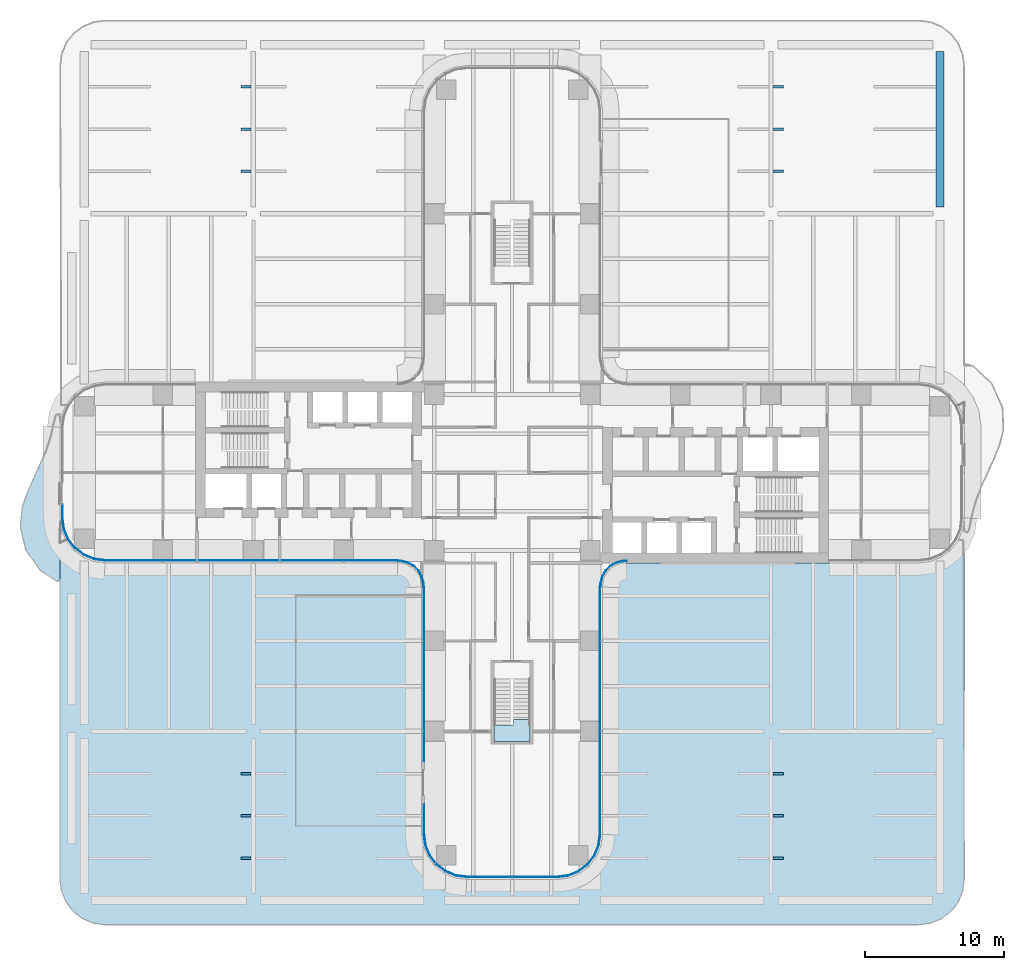
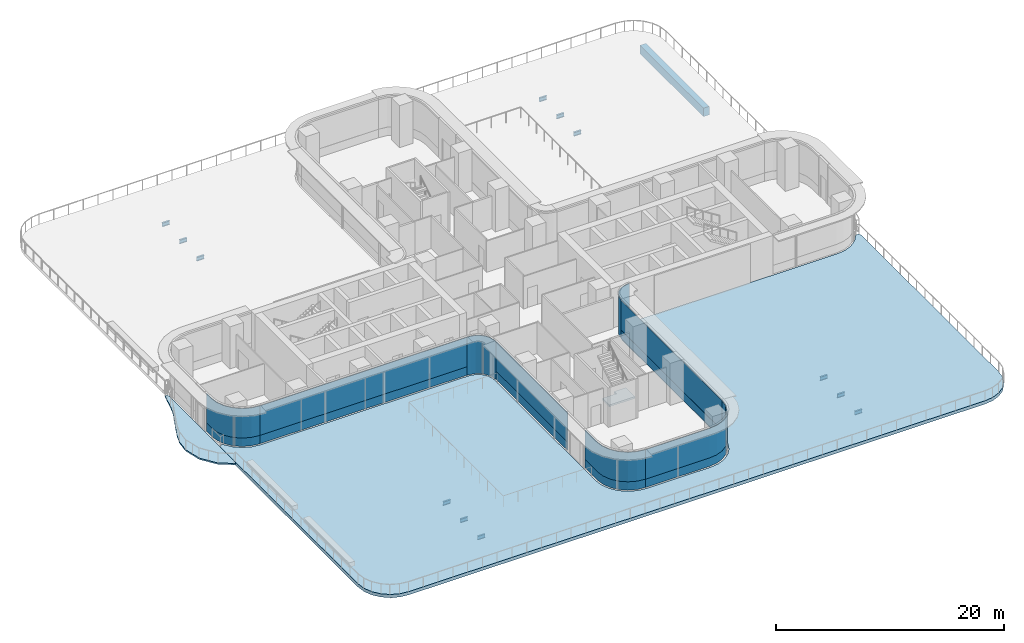
# One storey, part 18 of 29: 14 plates, 13 beams, 3 slabs, 9 elements without a shape of their own.
"""IFC4 building model written with IfcOpenShell, lengths in metres."""

from ifc_helpers import new_model, si_unit, direction, frame, origin, origin_2d, place, context, subcontext, project, spatial, polyline, rectangle, i_section, outline, extrude, source, transform, mapped, material, layer, layer_set, material_profile, profile_set, type_object, element, aggregate, save


model = new_model("IFC4")

# Units and contexts
model_context = context("Model", 3, precision=1e-05, world=origin(), true_north=direction((0.0, 1.0)))
body_context = subcontext(model_context, "Body", "Model", "MODEL_VIEW")
ifc_project = project(units=[si_unit("LENGTHUNIT", "METRE"), si_unit("AREAUNIT", "SQUARE_METRE"), si_unit("VOLUMEUNIT", "CUBIC_METRE"), si_unit("PLANEANGLEUNIT", "RADIAN"), si_unit("MASSUNIT", "GRAM", prefix="KILO")], contexts=[model_context])

# Site, building, storey
site_placement = place(None, origin())
site = spatial("IfcSite", under=ifc_project, at=site_placement, CompositionType="ELEMENT")
building_placement = place(site_placement, origin())
building = spatial("IfcBuilding", under=site, at=building_placement, Name="Trellis Farm Tower", CompositionType="ELEMENT")
storey_placement = place(building_placement, frame((0.0, 0.0, 34.0)))
storey = spatial("IfcBuildingStorey", under=building, at=storey_placement, Name="L06", CompositionType="ELEMENT", Elevation=34.0)

# Beams
ifc_material_1 = material(Name="Steel S355", Category="steel")
ifc_material_profile_1 = material_profile(ifc_material_1, i_section(OverallWidth=0.177978515625, OverallDepth=0.406494140625, WebThickness=0.0078125, FlangeThickness=0.0126953125, FilletRadius=0.01025390625, at=origin_2d()), Name="UB 406x178x60")
ifc_profile_set_1 = profile_set([ifc_material_profile_1], Name="Steel S355")
beam_type_1 = type_object("IfcBeamType", Name="UB 406x178x60 joist", PredefinedType="JOIST", material=ifc_profile_set_1)
shared_shape_1 = source(origin(), body_context, "Body", "SweptSolid", [
    extrude(i_section(OverallWidth=0.177978515625, OverallDepth=0.406494140625, WebThickness=0.0078125, FlangeThickness=0.0126953125, FilletRadius=0.01025390625, at=origin_2d()), origin(), (0.0, 0.0, 1.0), 0.747314453125),
])
for number, where, z_axis, x_axis, name in (
    (1, (-19.5, -27.71240234375, -0.55322265625), (1.0, 0.0, 0.0), (0.0, 1.0, 0.0), "Floor beam"),
    (2, (18.752685546875, -27.71240234375, -0.55322265625), (1.0, 0.0, 0.0), (0.0, 1.0, 0.0), "Floor beam"),
    (3, (-19.5, -24.675048828125, -0.55322265625), (1.0, 0.0, 0.0), (0.0, 1.0, 0.0), "Floor beam"),
    (4, (18.752685546875, -24.675048828125, -0.55322265625), (1.0, 0.0, 0.0), (0.0, 1.0, 0.0), "Floor beam"),
    (5, (-19.5, -21.637451171875, -0.55322265625), (1.0, 0.0, 0.0), (0.0, 1.0, 0.0), "Floor beam"),
    (6, (18.752685546875, -21.637451171875, -0.55322265625), (1.0, 0.0, 0.0), (0.0, 1.0, 0.0), "Floor beam"),
    (7, (-19.5, 21.637451171875, -0.55322265625), (1.0, 0.0, 0.0), (0.0, 1.0, 0.0), "Floor beam"),
    (8, (18.752685546875, 21.637451171875, -0.55322265625), (1.0, 0.0, 0.0), (0.0, 1.0, 0.0), "Floor beam"),
    (9, (-19.5, 24.675048828125, -0.55322265625), (1.0, 0.0, 0.0), (0.0, 1.0, 0.0), "Floor beam"),
    (10, (18.752685546875, 24.675048828125, -0.55322265625), (1.0, 0.0, 0.0), (0.0, 1.0, 0.0), "Floor beam"),
    (11, (-19.5, 27.71240234375, -0.55322265625), (1.0, 0.0, 0.0), (0.0, 1.0, 0.0), "Floor beam"),
    (12, (18.752685546875, 27.71240234375, -0.55322265625), (1.0, 0.0, 0.0), (0.0, 1.0, 0.0), "Floor beam"),
):
    element("IfcBeam", number, at=place(storey_placement, frame(where, z_axis=z_axis, x_axis=x_axis)), inside=storey, type_object=beam_type_1, Name=name, PredefinedType="JOIST", context=body_context, shape_type="MappedRepresentation", body=[
        mapped(shared_shape_1, transform((0.0, 0.0, 0.0))),
    ])
ifc_material_2 = material(Name="Concrete C60/75", Category="concrete")
ifc_material_profile_2 = material_profile(ifc_material_2, rectangle(XDim=0.60009765625, YDim=0.89990234375, at=origin_2d()), Name="RC spandrel beam 600x900 C60/75")
ifc_profile_set_2 = profile_set([ifc_material_profile_2], Name="Concrete C60/75")
beam_type_2 = type_object("IfcBeamType", Name="RC spandrel beam 600x900 C60/75", PredefinedType="SPANDREL", material=ifc_profile_set_2)
shared_shape_2 = source(origin(), body_context, "Body", "SweptSolid", [
    extrude(rectangle(XDim=0.60009765625, YDim=0.89990234375, at=origin_2d()), origin(), (0.0, 0.0, 1.0), 11.14990234375),
])
beam_placement = place(storey_placement, frame((30.75, 19.10009765625, -0.800048828125), z_axis=(0.0, 1.0, 0.0), x_axis=(-1.0, 0.0, 0.0)))
element("IfcBeam", 13, at=beam_placement, inside=storey, type_object=beam_type_2, Name="Girder", PredefinedType="SPANDREL", context=body_context, shape_type="MappedRepresentation", body=[
    mapped(shared_shape_2, transform((0.0, 0.0, 0.0))),
])

# Slab
ifc_material_3 = material(Name="Concrete C40/50", Category="concrete")
ifc_layer_1 = layer(ifc_material_3, 0.14990234375)
ifc_layer_set_1 = layer_set([ifc_layer_1], Name="Balcony slab 150")
slab_type_1 = type_object("IfcSlabType", Name="Balcony slab 150", PredefinedType="FLOOR", material=ifc_layer_set_1)
slab_1_placement = place(storey_placement, frame((0.0, 0.0, -0.14990234375)))
element("IfcSlab", 14, at=slab_1_placement, inside=storey, type_object=slab_type_1, Name="Balcony slab", PredefinedType="FLOOR", context=body_context, shape_type="SweptSolid", body=[
    extrude(outline(polyline([(-33.928955078125, -7.020263671875), (-33.954833984375, -6.994873046875), (-33.97314453125, -6.9736328125), (-34.925048828125, -5.62353515625), (-34.939208984375, -5.598388671875), (-34.95458984375, -5.564453125), (-34.9638671875, -5.537109375), (-35.345947265625, -3.895263671875), (-35.34912109375, -3.84619140625), (-35.216064453125, -2.5341796875), (-35.208984375, -2.50146484375), (-34.869873046875, -1.498291015625), (-34.865234375, -1.486328125), (-34.434326171875, -0.499267578125), (-34.4326171875, -0.49560546875), (-33.964111328125, 0.503173828125), (-33.963134765625, 0.5048828125), (-33.52587890625, 1.509521484375), (-33.523681640625, 1.515380859375), (-33.184814453125, 2.51318359375), (-33.1826171875, 2.52099609375), (-32.95263671875, 3.553955078125), (-32.951171875, 3.560302734375), (-32.794921875, 4.141357421875), (-32.7333984375, 4.227294921875), (-32.63037109375, 4.251220703125), (-32.537109375, 4.201416015625), (-32.5, 4.102294921875), (-32.5, 3.254638671875), (-32.50048828125, 3.25), (-32.50048828125, -3.25), (-32.5, -3.254638671875), (-32.5, -7.68798828125), (-32.537109375, -7.786865234375), (-32.6298828125, -7.836669921875), (-32.732666015625, -7.813232421875), (-33.906982421875, -7.03759765625), (-33.928955078125, -7.020263671875)])), origin(), (0.0, 0.0, 1.0), 0.14990234375),
])

# Curtain wall, plates
ifc_material_4 = material(Name="Aluminium and glass curtain wall", Category="aluminium")
ifc_layer_2 = layer(ifc_material_4, 0.18994140625)
ifc_layer_set_2 = layer_set([ifc_layer_2], Name="RIBBON CURTAIN WALL CW1")
curtain_wall_type_1 = type_object("IfcCurtainWallType", Name="RIBBON CURTAIN WALL CW1", PredefinedType="NOTDEFINED", material=ifc_layer_set_2)
placement_1 = place(storey_placement, origin())
curtain_wall_1 = element("IfcCurtainWall", 15, at=placement_1, inside=storey, type_object=curtain_wall_type_1, Name="CW1 016", PredefinedType="NOTDEFINED")
ifc_material_5 = material(Name="Clear insulated glass", Category="glass")
ifc_layer_3 = layer(ifc_material_5, 0.0400390625)
ifc_layer_set_3 = layer_set([ifc_layer_3], Name="CW1 GLASS PANEL 40")
plate_type_1 = type_object("IfcPlateType", Name="CW1 GLASS PANEL 40", PredefinedType="CURTAIN_PANEL", material=ifc_layer_set_3)
placement_2 = place(storey_placement, frame((0.0, 0.0, 0.89990234375)))
plate_1 = element("IfcPlate", 16, at=placement_2, type_object=plate_type_1, Name="PL1 016", PredefinedType="CURTAIN_PANEL", context=body_context, shape_type="SweptSolid", body=[
    extrude(outline(polyline([(-32.35009765625, -2.330078125), (-32.35009765625, -3.240234375), (-32.2431640625, -4.052001953125), (-31.93359375, -4.79931640625), (-31.441162109375, -5.441162109375), (-30.79931640625, -5.93359375), (-30.052001953125, -6.2431640625), (-29.240234375, -6.35009765625), (-29.237548828125, -6.31005859375), (-30.04150390625, -6.2041015625), (-30.779296875, -5.898681640625), (-31.41259765625, -5.41259765625), (-31.898681640625, -4.779296875), (-32.2041015625, -4.04150390625), (-32.31005859375, -3.237548828125), (-32.31005859375, -2.330078125), (-32.35009765625, -2.330078125)])), origin(), (0.0, 0.0, 1.0), 3.170166015625),
])
ifc_material_6 = material(Name="Sandstone faced insulated panel", Category="masonry")
ifc_layer_4 = layer(ifc_material_6, 0.050048828125)
ifc_layer_set_4 = layer_set([ifc_layer_4], Name="CW1 STONE SPANDREL PANEL 50")
plate_type_2 = type_object("IfcPlateType", Name="CW1 STONE SPANDREL PANEL 50", PredefinedType="CURTAIN_PANEL", material=ifc_layer_set_4)
plate_2 = element("IfcPlate", 17, at=placement_1, type_object=plate_type_2, Name="PS1 016", PredefinedType="CURTAIN_PANEL", context=body_context, shape_type="SweptSolid", body=[
    extrude(outline(polyline([(-32.35009765625, -2.330078125), (-32.35009765625, -3.240234375), (-32.2431640625, -4.052001953125), (-31.93359375, -4.79931640625), (-31.441162109375, -5.441162109375), (-30.79931640625, -5.93359375), (-30.052001953125, -6.2431640625), (-29.240234375, -6.35009765625), (-29.23681640625, -6.300048828125), (-30.0390625, -6.1943359375), (-30.774169921875, -5.889892578125), (-31.405517578125, -5.405517578125), (-31.889892578125, -4.774169921875), (-32.1943359375, -4.0390625), (-32.300048828125, -3.23681640625), (-32.300048828125, -2.330078125), (-32.35009765625, -2.330078125)])), origin(), (0.0, 0.0, 1.0), 0.89990234375),
])
aggregate(curtain_wall_1, [plate_1, plate_2])

# Slab
ifc_layer_5 = layer(ifc_material_3, 0.35009765625)
ifc_layer_set_5 = layer_set([ifc_layer_5], Name="Terrace slab on composite deck 350")
slab_type_2 = type_object("IfcSlabType", Name="Terrace slab on composite deck 350", PredefinedType="FLOOR", material=ifc_layer_set_5)
slab_2_placement = place(storey_placement, frame((0.0, 0.0, -0.35009765625)))
element("IfcSlab", 18, at=slab_2_placement, inside=storey, type_object=slab_type_2, Name="Terrace slab", PredefinedType="FLOOR", context=body_context, shape_type="SweptSolid", body=[
    extrude(outline(polyline([(-32.228271484375, -4.794921875), (-32.052978515625, -4.89111328125), (-31.548583984375, -5.548583984375), (-30.875244140625, -6.065185546875), (-30.09130859375, -6.389892578125), (-29.25, -6.50048828125), (-8.2314453125, -6.50048828125), (-8.01953125, -6.514404296875), (-7.9228515625, -6.527099609375), (-7.90869140625, -6.530029296875), (-7.5361328125, -6.6298828125), (-7.484130859375, -6.6513671875), (-7.169189453125, -6.833251953125), (-7.124755859375, -6.867431640625), (-6.867431640625, -7.124755859375), (-6.833251953125, -7.169189453125), (-6.6513671875, -7.484130859375), (-6.6298828125, -7.5361328125), (-6.530029296875, -7.90869140625), (-6.527099609375, -7.9228515625), (-6.514404296875, -8.01953125), (-6.50048828125, -8.2314453125), (-6.50048828125, -26.0), (-6.389892578125, -26.84130859375), (-6.065185546875, -27.625244140625), (-5.548583984375, -28.298583984375), (-4.875244140625, -28.815185546875), (-4.09130859375, -29.139892578125), (-3.25, -29.25048828125), (3.25, -29.25048828125), (4.09130859375, -29.139892578125), (4.875244140625, -28.815185546875), (5.548583984375, -28.298583984375), (6.065185546875, -27.625244140625), (6.389892578125, -26.84130859375), (6.50048828125, -26.0), (6.50048828125, -8.2314453125), (6.514404296875, -8.01953125), (6.527099609375, -7.9228515625), (6.530029296875, -7.90869140625), (6.6298828125, -7.5361328125), (6.6513671875, -7.484130859375), (6.833251953125, -7.169189453125), (6.867431640625, -7.124755859375), (7.124755859375, -6.867431640625), (7.169189453125, -6.833251953125), (7.484130859375, -6.6513671875), (7.5361328125, -6.6298828125), (7.90869140625, -6.530029296875), (7.9228515625, -6.527099609375), (8.01953125, -6.514404296875), (8.2314453125, -6.50048828125), (29.25, -6.50048828125), (30.09130859375, -6.389892578125), (30.875244140625, -6.065185546875), (31.548583984375, -5.548583984375), (32.052978515625, -4.89111328125), (32.228271484375, -4.794921875), (32.4189453125, -4.859619140625), (32.5, -5.0439453125), (32.5, -29.233642578125), (32.497802734375, -29.26611328125), (32.3935546875, -30.05859375), (32.376708984375, -30.12158203125), (32.0771484375, -30.844482421875), (32.04443359375, -30.901123046875), (31.568115234375, -31.52197265625), (31.52197265625, -31.568115234375), (30.901123046875, -32.04443359375), (30.844482421875, -32.0771484375), (30.12158203125, -32.376708984375), (30.05859375, -32.3935546875), (29.26611328125, -32.497802734375), (29.233642578125, -32.5), (-29.233642578125, -32.5), (-29.26611328125, -32.497802734375), (-30.05859375, -32.3935546875), (-30.12158203125, -32.376708984375), (-30.844482421875, -32.0771484375), (-30.901123046875, -32.04443359375), (-31.52197265625, -31.568115234375), (-31.568115234375, -31.52197265625), (-32.04443359375, -30.901123046875), (-32.0771484375, -30.844482421875), (-32.376708984375, -30.12158203125), (-32.3935546875, -30.05859375), (-32.497802734375, -29.26611328125), (-32.5, -29.233642578125), (-32.5, -5.0439453125), (-32.4189453125, -4.859619140625), (-32.228271484375, -4.794921875)])), origin(), (0.0, 0.0, 1.0), 0.35009765625),
])

# Stair, slab
ifc_material_7 = material(Name="Concrete C50/60", Category="concrete")
stair_type = type_object("IfcStairType", Name="CORE EXIT STAIR 26 RISERS 173 MM", PredefinedType="HALF_TURN_STAIR", material=ifc_material_7)
stair = element("IfcStair", 19, at=placement_1, inside=storey, type_object=stair_type, Name="Exit stair S", PredefinedType="HALF_TURN_STAIR")
ifc_layer_6 = layer(ifc_material_7, 0.18994140625)
ifc_layer_set_6 = layer_set([ifc_layer_6], Name="CORE STAIR LANDING 190 CONCRETE C50/60")
slab_type_3 = type_object("IfcSlabType", Name="CORE STAIR LANDING 190 CONCRETE C50/60", PredefinedType="LANDING", material=ifc_layer_set_6)
shared_shape_3 = source(origin(), body_context, "Body", "SweptSolid", [
    extrude(outline(polyline([(1.300048828125, -19.35009765625), (-1.300048828125, -19.35009765625), (-1.300048828125, -18.14990234375), (-1.300048828125, -18.139892578125), (-0.10009765625, -18.139892578125), (-0.10009765625, -18.14990234375), (0.10009765625, -18.14990234375), (0.10009765625, -17.753173828125), (1.300048828125, -17.753173828125), (1.300048828125, -18.14990234375), (1.300048828125, -19.35009765625)])), origin(), (0.0, 0.0, 1.0), 0.18994140625),
])
slab_3_placement = place(storey_placement, frame((0.0, 0.0, 2.06005859375)))
slab_3 = element("IfcSlab", 20, at=slab_3_placement, type_object=slab_type_3, Name="STS landing 1", PredefinedType="LANDING", context=body_context, shape_type="MappedRepresentation", body=[
    mapped(shared_shape_3, transform((0.0, 0.0, 0.0))),
])
aggregate(stair, [slab_3])

# Curtain wall, plates
curtain_wall_2 = element("IfcCurtainWall", 21, at=placement_1, inside=storey, type_object=curtain_wall_type_1, Name="CW1 001", PredefinedType="NOTDEFINED")
shared_shape_4 = source(origin(), body_context, "Body", "SweptSolid", [
    extrude(outline(polyline([(-29.240234375, -6.35009765625), (-8.2265625, -6.35009765625), (-8.22509765625, -6.31005859375), (-29.237548828125, -6.31005859375), (-29.240234375, -6.35009765625)])), origin(), (0.0, 0.0, 1.0), 3.170166015625),
])
plate_3 = element("IfcPlate", 22, at=placement_2, type_object=plate_type_1, Name="PL1 001", PredefinedType="CURTAIN_PANEL", context=body_context, shape_type="MappedRepresentation", body=[
    mapped(shared_shape_4, transform((0.0, 0.0, 0.0))),
])
shared_shape_5 = source(origin(), body_context, "Body", "SweptSolid", [
    extrude(outline(polyline([(-29.240234375, -6.35009765625), (-8.2265625, -6.35009765625), (-8.224853515625, -6.300048828125), (-29.23681640625, -6.300048828125), (-29.240234375, -6.35009765625)])), origin(), (0.0, 0.0, 1.0), 0.89990234375),
])
plate_4 = element("IfcPlate", 23, at=placement_1, type_object=plate_type_2, Name="PS1 001", PredefinedType="CURTAIN_PANEL", context=body_context, shape_type="MappedRepresentation", body=[
    mapped(shared_shape_5, transform((0.0, 0.0, 0.0))),
])
aggregate(curtain_wall_2, [plate_3, plate_4])

# Curtain wall, plate
ifc_layer_7 = layer(ifc_material_4, 0.166015625)
ifc_layer_set_7 = layer_set([ifc_layer_7], Name="WINTER GARDEN CURTAIN WALL CW3")
curtain_wall_type_2 = type_object("IfcCurtainWallType", Name="WINTER GARDEN CURTAIN WALL CW3", PredefinedType="NOTDEFINED", material=ifc_layer_set_7)
curtain_wall_3 = element("IfcCurtainWall", 24, at=placement_1, inside=storey, type_object=curtain_wall_type_2, Name="CW3 001", PredefinedType="NOTDEFINED")
ifc_layer_8 = layer(ifc_material_5, 0.0458984375)
ifc_layer_set_8 = layer_set([ifc_layer_8], Name="CW3 GLASS PANEL 46")
plate_type_3 = type_object("IfcPlateType", Name="CW3 GLASS PANEL 46", PredefinedType="CURTAIN_PANEL", material=ifc_layer_set_8)
shared_shape_6 = source(origin(), body_context, "Body", "SweptSolid", [
    extrude(outline(polyline([(-8.2275390625, -6.3798828125), (-8.0078125, -6.394287109375), (-7.89208984375, -6.40966796875), (-7.462158203125, -6.52490234375), (-7.070556640625, -6.7509765625), (-6.7509765625, -7.070556640625), (-6.52490234375, -7.462158203125), (-6.40966796875, -7.89208984375), (-6.394287109375, -8.0078125), (-6.3798828125, -8.2275390625), (-6.333984375, -8.22607421875), (-6.3486328125, -8.003173828125), (-6.364501953125, -7.883056640625), (-6.48193359375, -7.4443359375), (-6.714111328125, -7.04248046875), (-7.04248046875, -6.714111328125), (-7.4443359375, -6.48193359375), (-7.883056640625, -6.364501953125), (-8.003173828125, -6.3486328125), (-8.22607421875, -6.333984375), (-8.2275390625, -6.3798828125)])), origin(), (0.0, 0.0, 1.0), 4.10009765625),
])
plate_5 = element("IfcPlate", 25, at=placement_1, type_object=plate_type_3, Name="PL3 001", PredefinedType="CURTAIN_PANEL", context=body_context, shape_type="MappedRepresentation", body=[
    mapped(shared_shape_6, transform((0.0, 0.0, 0.0))),
])
aggregate(curtain_wall_3, [plate_5])

# Curtain wall, plates
curtain_wall_4 = element("IfcCurtainWall", 26, at=placement_1, inside=storey, type_object=curtain_wall_type_1, Name="CW1 004", PredefinedType="NOTDEFINED")
shared_shape_7 = source(origin(), body_context, "Body", "SweptSolid", [
    extrude(outline(polyline([(-3.240234375, -29.10009765625), (3.240234375, -29.10009765625), (4.052001953125, -28.9931640625), (4.79931640625, -28.68359375), (5.441162109375, -28.191162109375), (5.93359375, -27.54931640625), (6.2431640625, -26.802001953125), (6.35009765625, -25.990234375), (6.31005859375, -25.987548828125), (6.2041015625, -26.79150390625), (5.898681640625, -27.529296875), (5.41259765625, -28.16259765625), (4.779296875, -28.648681640625), (4.04150390625, -28.9541015625), (3.237548828125, -29.06005859375), (-3.237548828125, -29.06005859375), (-3.240234375, -29.10009765625)])), origin(), (0.0, 0.0, 1.0), 3.170166015625),
])
plate_6 = element("IfcPlate", 27, at=placement_2, type_object=plate_type_1, Name="PL1 004", PredefinedType="CURTAIN_PANEL", context=body_context, shape_type="MappedRepresentation", body=[
    mapped(shared_shape_7, transform((0.0, 0.0, 0.0))),
])
shared_shape_8 = source(origin(), body_context, "Body", "SweptSolid", [
    extrude(outline(polyline([(-3.240234375, -29.10009765625), (3.240234375, -29.10009765625), (4.052001953125, -28.9931640625), (4.79931640625, -28.68359375), (5.441162109375, -28.191162109375), (5.93359375, -27.54931640625), (6.2431640625, -26.802001953125), (6.35009765625, -25.990234375), (6.300048828125, -25.98681640625), (6.1943359375, -26.7890625), (5.889892578125, -27.524169921875), (5.405517578125, -28.155517578125), (4.774169921875, -28.639892578125), (4.0390625, -28.9443359375), (3.23681640625, -29.050048828125), (-3.23681640625, -29.050048828125), (-3.240234375, -29.10009765625)])), origin(), (0.0, 0.0, 1.0), 0.89990234375),
])
plate_7 = element("IfcPlate", 28, at=placement_1, type_object=plate_type_2, Name="PS1 004", PredefinedType="CURTAIN_PANEL", context=body_context, shape_type="MappedRepresentation", body=[
    mapped(shared_shape_8, transform((0.0, 0.0, 0.0))),
])
aggregate(curtain_wall_4, [plate_6, plate_7])

curtain_wall_5 = element("IfcCurtainWall", 29, at=placement_1, inside=storey, type_object=curtain_wall_type_1, Name="CW1 005", PredefinedType="NOTDEFINED")
shared_shape_9 = source(origin(), body_context, "Body", "SweptSolid", [
    extrude(outline(polyline([(6.35009765625, -25.990234375), (6.35009765625, -8.2265625), (6.31005859375, -8.22509765625), (6.31005859375, -25.987548828125), (6.35009765625, -25.990234375)])), origin(), (0.0, 0.0, 1.0), 3.170166015625),
])
plate_8 = element("IfcPlate", 30, at=placement_2, type_object=plate_type_1, Name="PL1 005", PredefinedType="CURTAIN_PANEL", context=body_context, shape_type="MappedRepresentation", body=[
    mapped(shared_shape_9, transform((0.0, 0.0, 0.0))),
])
shared_shape_10 = source(origin(), body_context, "Body", "SweptSolid", [
    extrude(outline(polyline([(6.35009765625, -25.990234375), (6.35009765625, -8.2265625), (6.300048828125, -8.224853515625), (6.300048828125, -25.98681640625), (6.35009765625, -25.990234375)])), origin(), (0.0, 0.0, 1.0), 0.89990234375),
])
plate_9 = element("IfcPlate", 31, at=placement_1, type_object=plate_type_2, Name="PS1 005", PredefinedType="CURTAIN_PANEL", context=body_context, shape_type="MappedRepresentation", body=[
    mapped(shared_shape_10, transform((0.0, 0.0, 0.0))),
])
aggregate(curtain_wall_5, [plate_8, plate_9])

# Curtain wall, plate
curtain_wall_6 = element("IfcCurtainWall", 32, at=placement_1, inside=storey, type_object=curtain_wall_type_2, Name="CW3 002", PredefinedType="NOTDEFINED")
shared_shape_11 = source(origin(), body_context, "Body", "SweptSolid", [
    extrude(outline(polyline([(6.3798828125, -8.2275390625), (6.394287109375, -8.0078125), (6.40966796875, -7.89208984375), (6.52490234375, -7.462158203125), (6.7509765625, -7.070556640625), (7.070556640625, -6.7509765625), (7.462158203125, -6.52490234375), (7.89208984375, -6.40966796875), (8.0078125, -6.394287109375), (8.2275390625, -6.3798828125), (8.22607421875, -6.333984375), (8.003173828125, -6.3486328125), (7.883056640625, -6.364501953125), (7.4443359375, -6.48193359375), (7.04248046875, -6.714111328125), (6.714111328125, -7.04248046875), (6.48193359375, -7.4443359375), (6.364501953125, -7.883056640625), (6.3486328125, -8.003173828125), (6.333984375, -8.22607421875), (6.3798828125, -8.2275390625)])), origin(), (0.0, 0.0, 1.0), 4.10009765625),
])
plate_10 = element("IfcPlate", 33, at=placement_1, type_object=plate_type_3, Name="PL3 002", PredefinedType="CURTAIN_PANEL", context=body_context, shape_type="MappedRepresentation", body=[
    mapped(shared_shape_11, transform((0.0, 0.0, 0.0))),
])
aggregate(curtain_wall_6, [plate_10])

# Curtain wall, plates
curtain_wall_7 = element("IfcCurtainWall", 34, at=placement_1, inside=storey, type_object=curtain_wall_type_1, Name="CW1 002", PredefinedType="NOTDEFINED")
shared_shape_12 = source(origin(), body_context, "Body", "SweptSolid", [
    extrude(outline(polyline([(-6.35009765625, -8.2265625), (-6.35009765625, -20.739990234375), (-6.31005859375, -20.739990234375), (-6.31005859375, -8.22509765625), (-6.35009765625, -8.2265625)])), origin(), (0.0, 0.0, 1.0), 3.170166015625),
])
plate_11 = element("IfcPlate", 35, at=placement_2, type_object=plate_type_1, Name="PL1 002", PredefinedType="CURTAIN_PANEL", context=body_context, shape_type="MappedRepresentation", body=[
    mapped(shared_shape_12, transform((0.0, 0.0, 0.0))),
])
shared_shape_13 = source(origin(), body_context, "Body", "SweptSolid", [
    extrude(outline(polyline([(-6.35009765625, -8.2265625), (-6.35009765625, -20.739990234375), (-6.300048828125, -20.739990234375), (-6.300048828125, -8.224853515625), (-6.35009765625, -8.2265625)])), origin(), (0.0, 0.0, 1.0), 0.89990234375),
])
plate_12 = element("IfcPlate", 36, at=placement_1, type_object=plate_type_2, Name="PS1 002", PredefinedType="CURTAIN_PANEL", context=body_context, shape_type="MappedRepresentation", body=[
    mapped(shared_shape_13, transform((0.0, 0.0, 0.0))),
])
aggregate(curtain_wall_7, [plate_11, plate_12])

curtain_wall_8 = element("IfcCurtainWall", 37, at=placement_1, inside=storey, type_object=curtain_wall_type_1, Name="CW1 003", PredefinedType="NOTDEFINED")
shared_shape_14 = source(origin(), body_context, "Body", "SweptSolid", [
    extrude(outline(polyline([(-6.35009765625, -23.860107421875), (-6.35009765625, -25.990234375), (-6.2431640625, -26.802001953125), (-5.93359375, -27.54931640625), (-5.441162109375, -28.191162109375), (-4.79931640625, -28.68359375), (-4.052001953125, -28.9931640625), (-3.240234375, -29.10009765625), (-3.237548828125, -29.06005859375), (-4.04150390625, -28.9541015625), (-4.779296875, -28.648681640625), (-5.41259765625, -28.16259765625), (-5.898681640625, -27.529296875), (-6.2041015625, -26.79150390625), (-6.31005859375, -25.987548828125), (-6.31005859375, -23.860107421875), (-6.35009765625, -23.860107421875)])), origin(), (0.0, 0.0, 1.0), 3.170166015625),
])
plate_13 = element("IfcPlate", 38, at=placement_2, type_object=plate_type_1, Name="PL1 003", PredefinedType="CURTAIN_PANEL", context=body_context, shape_type="MappedRepresentation", body=[
    mapped(shared_shape_14, transform((0.0, 0.0, 0.0))),
])
shared_shape_15 = source(origin(), body_context, "Body", "SweptSolid", [
    extrude(outline(polyline([(-6.35009765625, -23.860107421875), (-6.35009765625, -25.990234375), (-6.2431640625, -26.802001953125), (-5.93359375, -27.54931640625), (-5.441162109375, -28.191162109375), (-4.79931640625, -28.68359375), (-4.052001953125, -28.9931640625), (-3.240234375, -29.10009765625), (-3.23681640625, -29.050048828125), (-4.0390625, -28.9443359375), (-4.774169921875, -28.639892578125), (-5.405517578125, -28.155517578125), (-5.889892578125, -27.524169921875), (-6.1943359375, -26.7890625), (-6.300048828125, -25.98681640625), (-6.300048828125, -23.860107421875), (-6.35009765625, -23.860107421875)])), origin(), (0.0, 0.0, 1.0), 0.89990234375),
])
plate_14 = element("IfcPlate", 39, at=placement_1, type_object=plate_type_2, Name="PS1 003", PredefinedType="CURTAIN_PANEL", context=body_context, shape_type="MappedRepresentation", body=[
    mapped(shared_shape_15, transform((0.0, 0.0, 0.0))),
])
aggregate(curtain_wall_8, [plate_13, plate_14])

save(model, "model.ifc")
